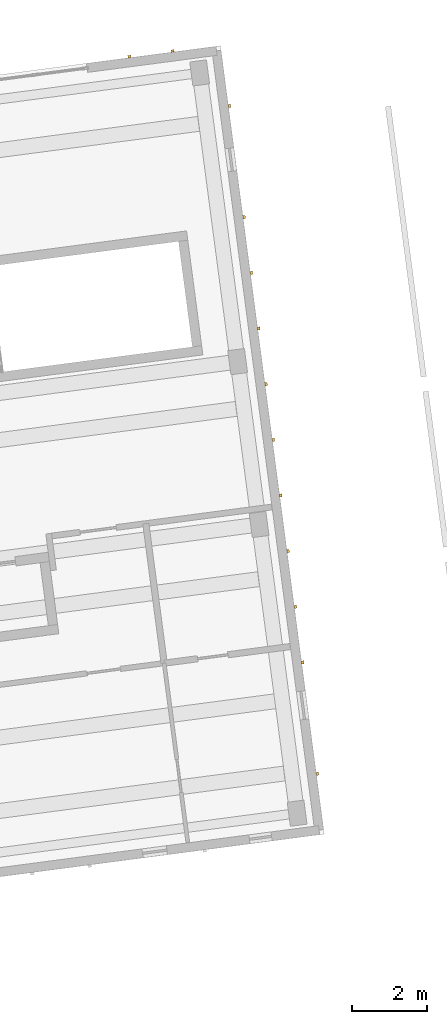
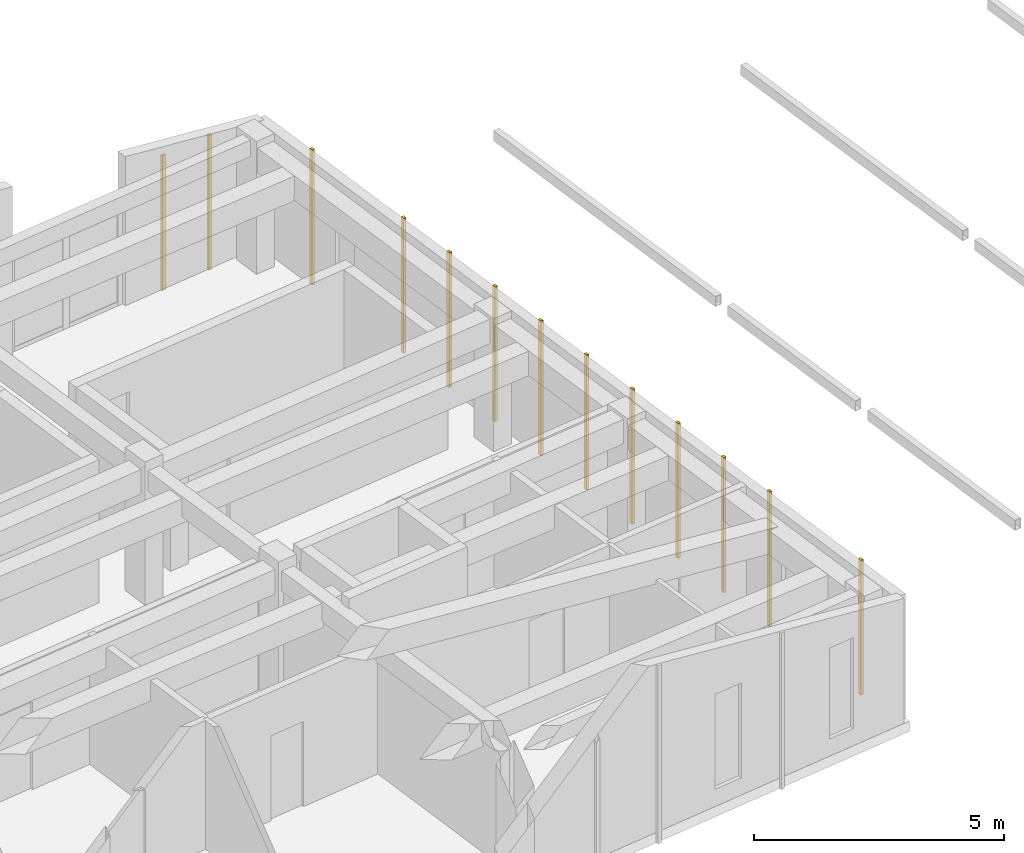
# One storey, part 10 of 10: 13 coverings.
"""IFC4 building model written with IfcOpenShell, lengths in metres."""

from ifc_helpers import new_model, si_unit, direction, frame, origin, origin_2d, place, context, subcontext, project, spatial, rectangle, extrude, material, layer, layer_set, type_object, element, save


model = new_model("IFC4")

# Units and contexts
model_context = context("Model", 3, precision=1e-05, world=origin(), true_north=direction((0.0, 1.0)))
body_context = subcontext(model_context, "Body", "Model", "MODEL_VIEW")
ifc_project = project(units=[si_unit("LENGTHUNIT", "METRE"), si_unit("AREAUNIT", "SQUARE_METRE"), si_unit("VOLUMEUNIT", "CUBIC_METRE"), si_unit("PLANEANGLEUNIT", "RADIAN"), si_unit("MASSUNIT", "GRAM", prefix="KILO")], contexts=[model_context])

# Site, building, storey
site_placement = place(None, origin())
site = spatial("IfcSite", under=ifc_project, at=site_placement, CompositionType="ELEMENT")
building_placement = place(site_placement, origin())
building = spatial("IfcBuilding", under=site, at=building_placement, Name="Kestramere Prow Commons", CompositionType="ELEMENT")
storey_placement = place(building_placement, frame((0.0, 0.0, 44.14990234375)))
storey = spatial("IfcBuildingStorey", under=building, at=storey_placement, Name="L13", CompositionType="ELEMENT", Elevation=44.14990234375)

# Coverings
ifc_material = material(Name="Weathered Zinc-Titanium Standing-Seam Cladding")
ifc_layer = layer(ifc_material, 0.074951171875)
ifc_layer_set = layer_set([ifc_layer], Name="Weathered Zinc-Titanium Standing-Seam Cladding")
covering_type = type_object("IfcCoveringType", Name="COV-CLAD-SEAM", PredefinedType="CLADDING", material=ifc_layer_set)
for number, where, z_axis, x_axis, name in (
    (1, (32.88232421875, 95.71044921875, -0.25), (0.0, 0.0, 1.0), (0.991444861374, 0.13052619222, 0.0), "EW-A-L13-NP-2-R Standing-Seam Rib 1"),
    (2, (34.0390625, 95.86279296875, -0.25), (0.0, 0.0, 1.0), (0.991444861374, 0.13052619222, 0.0), "EW-A-L13-NP-2-R Standing-Seam Rib 2"),
    (3, (35.56298828125, 94.39306640625, -0.25), (0.0, 0.0, 1.0), (0.13052619222, -0.991444861374, 0.0), "EW-A-L13-EAV Standing-Seam Rib 1"),
    (4, (35.95556640625, 91.41162109375, -0.25), (0.0, 0.0, 1.0), (0.13052619222, -0.991444861374, 0.0), "EW-A-L13-EAV Standing-Seam Rib 3"),
    (5, (36.15185546875, 89.9208984375, -0.25), (0.0, 0.0, 1.0), (0.13052619222, -0.991444861374, 0.0), "EW-A-L13-EAV Standing-Seam Rib 4"),
    (6, (36.34814453125, 88.43017578125, -0.25), (0.0, 0.0, 1.0), (0.13052619222, -0.991444861374, 0.0), "EW-A-L13-EAV Standing-Seam Rib 5"),
    (7, (36.54443359375, 86.939453125, -0.25), (0.0, 0.0, 1.0), (0.13052619222, -0.991444861374, 0.0), "EW-A-L13-EAV Standing-Seam Rib 6"),
    (8, (36.740478515625, 85.44873046875, -0.25), (0.0, 0.0, 1.0), (0.13052619222, -0.991444861374, 0.0), "EW-A-L13-EAV Standing-Seam Rib 7"),
    (9, (36.936767578125, 83.9580078125, -0.25), (0.0, 0.0, 1.0), (0.13052619222, -0.991444861374, 0.0), "EW-A-L13-EAV Standing-Seam Rib 8"),
    (10, (37.133056640625, 82.46728515625, -0.25), (0.0, 0.0, 1.0), (0.13052619222, -0.991444861374, 0.0), "EW-A-L13-EAV Standing-Seam Rib 9"),
    (11, (37.329345703125, 80.9765625, -0.25), (0.0, 0.0, 1.0), (0.13052619222, -0.991444861374, 0.0), "EW-A-L13-EAV Standing-Seam Rib 10"),
    (12, (37.525634765625, 79.48583984375, -0.25), (0.0, 0.0, 1.0), (0.13052619222, -0.991444861374, 0.0), "EW-A-L13-EAV Standing-Seam Rib 11"),
    (13, (37.918212890625, 76.504638671875, -0.25), (0.0, 0.0, 1.0), (0.13052619222, -0.991444861374, 0.0), "EW-A-L13-EAV Standing-Seam Rib 13"),
):
    element("IfcCovering", number, at=place(storey_placement, frame(where, z_axis=z_axis, x_axis=x_axis)), inside=storey, type_object=covering_type, Name=name, PredefinedType="CLADDING", context=body_context, shape_type="SweptSolid", body=[
        extrude(rectangle(XDim=0.0849609375, YDim=0.06494140625, at=origin_2d()), origin(), (0.0, 0.0, 1.0), 3.301025390625),
    ])

save(model, "model.ifc")
